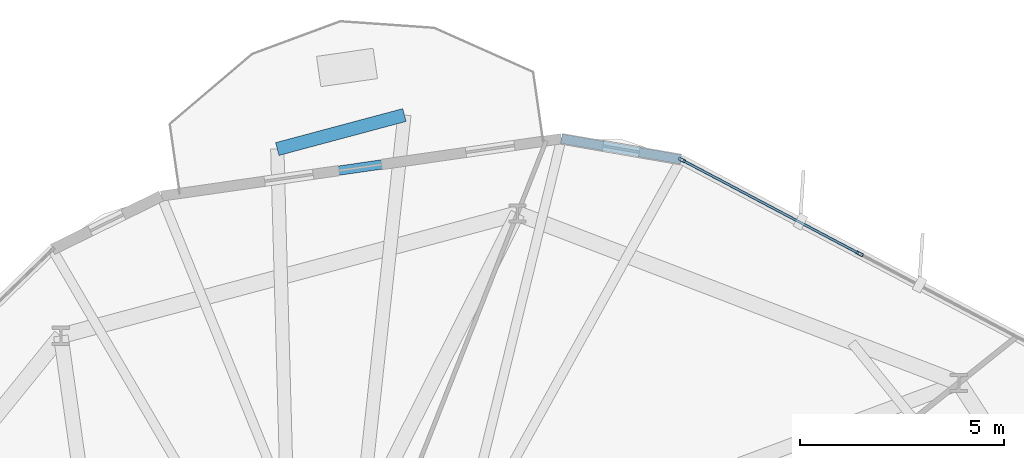
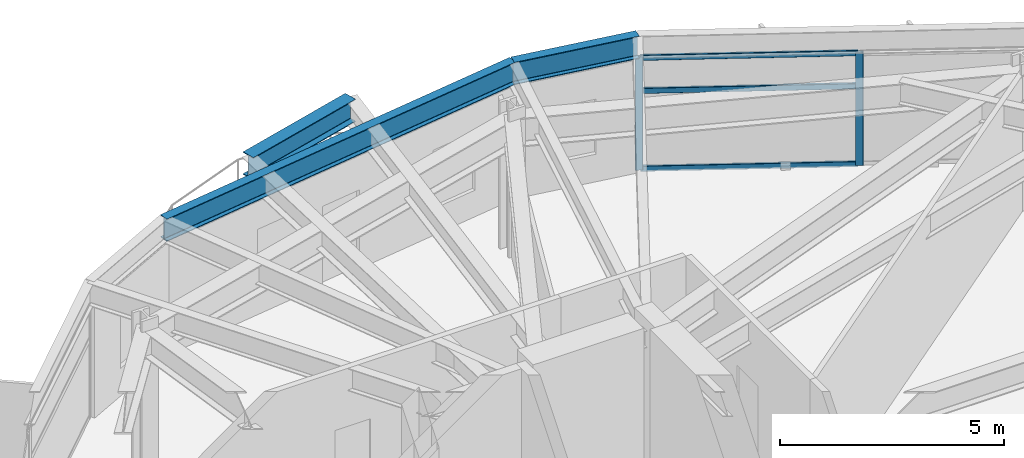
# One storey, part 13 of 22: 5 members, 3 beams, 1 element without a shape of its own.
"""IFC4 building model written with IfcOpenShell, lengths in metres."""

from ifc_helpers import new_model, si_unit, direction, frame, origin, origin_2d, place, context, subcontext, project, spatial, hollow_rectangle, i_section, extrude, material, layer, layer_set, material_profile, profile_set, type_object, element, aggregate, save


model = new_model("IFC4")

# Units and contexts
model_context = context("Model", 3, precision=1e-05, world=origin(), true_north=direction((0.0, 1.0)))
body_context = subcontext(model_context, "Body", "Model", "MODEL_VIEW")
ifc_project = project(units=[si_unit("LENGTHUNIT", "METRE"), si_unit("AREAUNIT", "SQUARE_METRE"), si_unit("VOLUMEUNIT", "CUBIC_METRE"), si_unit("PLANEANGLEUNIT", "RADIAN"), si_unit("MASSUNIT", "GRAM", prefix="KILO")], contexts=[model_context])

# Site, building, storey
site_placement = place(None, origin())
site = spatial("IfcSite", under=ifc_project, at=site_placement, CompositionType="ELEMENT")
building_placement = place(site_placement, origin())
building = spatial("IfcBuilding", under=site, at=building_placement, Name="Soratama Intermodal Tower", CompositionType="ELEMENT")
storey_placement = place(building_placement, frame((0.0, 0.0, 58.60009765625)))
storey = spatial("IfcBuildingStorey", under=building, at=storey_placement, Name="L13", CompositionType="ELEMENT", Elevation=58.60009765625)

# Beams
ifc_material_1 = material(Name="Structural steel ASTM A992 Grade 50", Category="steel")
ifc_material_profile_1 = material_profile(ifc_material_1, i_section(OverallWidth=0.324951171875, OverallDepth=0.615966796875, WebThickness=0.013916015625, FlangeThickness=0.021484375, FilletRadius=0.013916015625, at=origin_2d()), Name="W24X117")
ifc_profile_set_1 = profile_set([ifc_material_profile_1], Name="Structural steel ASTM A992 Grade 50")
beam_type_1 = type_object("IfcBeamType", Name="BM-CANT-W24X117", PredefinedType="BEAM", material=ifc_profile_set_1)
beam_1_placement = place(storey_placement, frame((43.2119140625, 46.10400390625, 3.391845703125), z_axis=(-0.966043403946, -0.25837983995, 0.0), x_axis=(0.25837983995, -0.966043403946, 0.0)))
element("IfcBeam", 1, at=beam_1_placement, inside=storey, type_object=beam_type_1, Name="BM-L13-CBHDR-1", PredefinedType="BEAM", context=body_context, shape_type="SweptSolid", body=[
    extrude(i_section(OverallWidth=0.324951171875, OverallDepth=0.615966796875, WebThickness=0.013916015625, FlangeThickness=0.021484375, FilletRadius=0.013916015625, at=origin_2d()), origin(), (0.0, 0.0, 1.0), 3.22021484375),
])
ifc_material_2 = material(Name="Structural steel ASTM A992 Grade 50", Category="steel")
ifc_material_profile_2 = material_profile(ifc_material_2, i_section(OverallWidth=0.22900390625, OverallDepth=0.612060546875, WebThickness=0.011962890625, FlangeThickness=0.01953125, FilletRadius=0.012939453125, at=origin_2d()), Name="W24X84")
ifc_profile_set_2 = profile_set([ifc_material_profile_2], Name="Structural steel ASTM A992 Grade 50")
beam_type_2 = type_object("IfcBeamType", Name="BM-SPN-W24X84", PredefinedType="SPANDREL", material=ifc_profile_set_2)
beam_2_placement = place(storey_placement, frame((49.97705078125, 45.01806640625, 3.393798828125), z_axis=(-0.985288990023, 0.170896477842, 0.0), x_axis=(-0.170896477842, -0.985288990023, 0.0)))
element("IfcBeam", 2, at=beam_2_placement, inside=storey, type_object=beam_type_2, Name="BS-L13-CRN02", PredefinedType="SPANDREL", context=body_context, shape_type="SweptSolid", body=[
    extrude(i_section(OverallWidth=0.22900390625, OverallDepth=0.612060546875, WebThickness=0.011962890625, FlangeThickness=0.01953125, FilletRadius=0.012939453125, at=origin_2d()), origin(), (0.0, 0.0, 1.0), 2.9658203125),
])
beam_3_placement = place(storey_placement, frame((47.054931640625, 45.52490234375, 3.393798828125), z_axis=(-0.989883255029, -0.141884253575, 0.0), x_axis=(0.141884253575, -0.989883255029, 0.0)))
element("IfcBeam", 3, at=beam_3_placement, inside=storey, type_object=beam_type_2, Name="BS-L13-F03", PredefinedType="SPANDREL", context=body_context, shape_type="SweptSolid", body=[
    extrude(i_section(OverallWidth=0.22900390625, OverallDepth=0.612060546875, WebThickness=0.011962890625, FlangeThickness=0.01953125, FilletRadius=0.012939453125, at=origin_2d()), origin(), (0.0, 0.0, 1.0), 9.89404296875),
])

# Curtain wall, members
ifc_material_3 = material(Name="Double-glazed aluminium curtain wall", Category="aluminium")
ifc_layer = layer(ifc_material_3, 0.159912109375)
ifc_layer_set = layer_set([ifc_layer], Name="Double-glazed aluminium curtain wall")
curtain_wall_type = type_object("IfcCurtainWallType", Name="CW-SYS-2", PredefinedType="NOTDEFINED", material=ifc_layer_set)
curtain_wall_placement = place(storey_placement, origin())
curtain_wall = element("IfcCurtainWall", 4, at=curtain_wall_placement, inside=storey, type_object=curtain_wall_type, Name="L13 Faceted Curtain Wall F02", PredefinedType="NOTDEFINED")
ifc_material_4 = material(Name="Anodised aluminium AA 6063-T6", Category="aluminium")
ifc_material_profile_3 = material_profile(ifc_material_4, hollow_rectangle(XDim=0.074951171875, YDim=0.179931640625, WallThickness=0.006103515625, InnerFilletRadius=0.006103515625, OuterFilletRadius=0.011962890625, at=origin_2d()), Name="CWM180X75X6")
ifc_profile_set_3 = profile_set([ifc_material_profile_3], Name="Anodised aluminium AA 6063-T6")
member_type_1 = type_object("IfcMemberType", Name="MT-CWM-2", PredefinedType="MULLION", material=ifc_profile_set_3)
member_1_placement = place(storey_placement, frame((54.35205078125, 42.707763671875, 0.0), z_axis=(0.0, 0.0, 1.0), x_axis=(-0.467001461398, -0.884256543686, 0.0)))
member_1 = element("IfcMember", 5, at=member_1_placement, type_object=member_type_1, Name="CW-2 mullion 2", PredefinedType="MULLION", context=body_context, shape_type="SweptSolid", body=[
    extrude(hollow_rectangle(XDim=0.074951171875, YDim=0.179931640625, WallThickness=0.006103515625, InnerFilletRadius=0.006103515625, OuterFilletRadius=0.011962890625, at=origin_2d()), origin(), (0.0, 0.0, 1.0), 3.078857421875),
])
member_2_placement = place(storey_placement, frame((50.00390625, 45.00390625, 0.0), z_axis=(0.0, 0.0, 1.0), x_axis=(-0.467001461398, -0.884256543686, 0.0)))
member_2 = element("IfcMember", 6, at=member_2_placement, type_object=member_type_1, Name="CW-2 mullion 3", PredefinedType="MULLION", context=body_context, shape_type="SweptSolid", body=[
    extrude(hollow_rectangle(XDim=0.074951171875, YDim=0.179931640625, WallThickness=0.006103515625, InnerFilletRadius=0.006103515625, OuterFilletRadius=0.011962890625, at=origin_2d()), origin(), (0.0, 0.0, 1.0), 3.078857421875),
])
ifc_material_5 = material(Name="Anodised aluminium AA 6063-T6", Category="aluminium")
ifc_material_profile_4 = material_profile(ifc_material_5, hollow_rectangle(XDim=0.06494140625, YDim=0.14990234375, WallThickness=0.0048828125, InnerFilletRadius=0.0048828125, OuterFilletRadius=0.010009765625, at=origin_2d()), Name="CWT150X65X5")
ifc_profile_set_4 = profile_set([ifc_material_profile_4], Name="Anodised aluminium AA 6063-T6")
member_type_2 = type_object("IfcMemberType", Name="TT-CWT-1", PredefinedType="USERDEFINED", material=ifc_profile_set_4)
member_3_placement = place(storey_placement, frame((54.325439453125, 42.7216796875, 0.02978515625), z_axis=(-0.8842533081, 0.467007587856, 0.0), x_axis=(-0.467007587856, -0.8842533081, 0.0)))
member_3 = element("IfcMember", 7, at=member_3_placement, type_object=member_type_2, Name="CW-2 transom 2.1", ObjectType="TRANSOM", PredefinedType="USERDEFINED", context=body_context, shape_type="SweptSolid", body=[
    extrude(hollow_rectangle(XDim=0.06494140625, YDim=0.14990234375, WallThickness=0.0048828125, InnerFilletRadius=0.0048828125, OuterFilletRadius=0.010009765625, at=origin_2d()), origin(), (0.0, 0.0, 1.0), 4.857177734375),
])
member_4_placement = place(storey_placement, frame((54.325439453125, 42.7216796875, 2.14990234375), z_axis=(-0.8842533081, 0.467007587856, 0.0), x_axis=(-0.467007587856, -0.8842533081, 0.0)))
member_4 = element("IfcMember", 8, at=member_4_placement, type_object=member_type_2, Name="CW-2 transom 2.2", ObjectType="TRANSOM", PredefinedType="USERDEFINED", context=body_context, shape_type="SweptSolid", body=[
    extrude(hollow_rectangle(XDim=0.06494140625, YDim=0.14990234375, WallThickness=0.0048828125, InnerFilletRadius=0.0048828125, OuterFilletRadius=0.010009765625, at=origin_2d()), origin(), (0.0, 0.0, 1.0), 4.857177734375),
])
member_5_placement = place(storey_placement, frame((54.325439453125, 42.7216796875, 3.048828125), z_axis=(-0.8842533081, 0.467007587856, 0.0), x_axis=(-0.467007587856, -0.8842533081, 0.0)))
member_5 = element("IfcMember", 9, at=member_5_placement, type_object=member_type_2, Name="CW-2 transom 2.3", ObjectType="TRANSOM", PredefinedType="USERDEFINED", context=body_context, shape_type="SweptSolid", body=[
    extrude(hollow_rectangle(XDim=0.06494140625, YDim=0.14990234375, WallThickness=0.0048828125, InnerFilletRadius=0.0048828125, OuterFilletRadius=0.010009765625, at=origin_2d()), origin(), (0.0, 0.0, 1.0), 4.857177734375),
])
aggregate(curtain_wall, [member_1, member_2, member_3, member_4, member_5])

save(model, "model.ifc")
